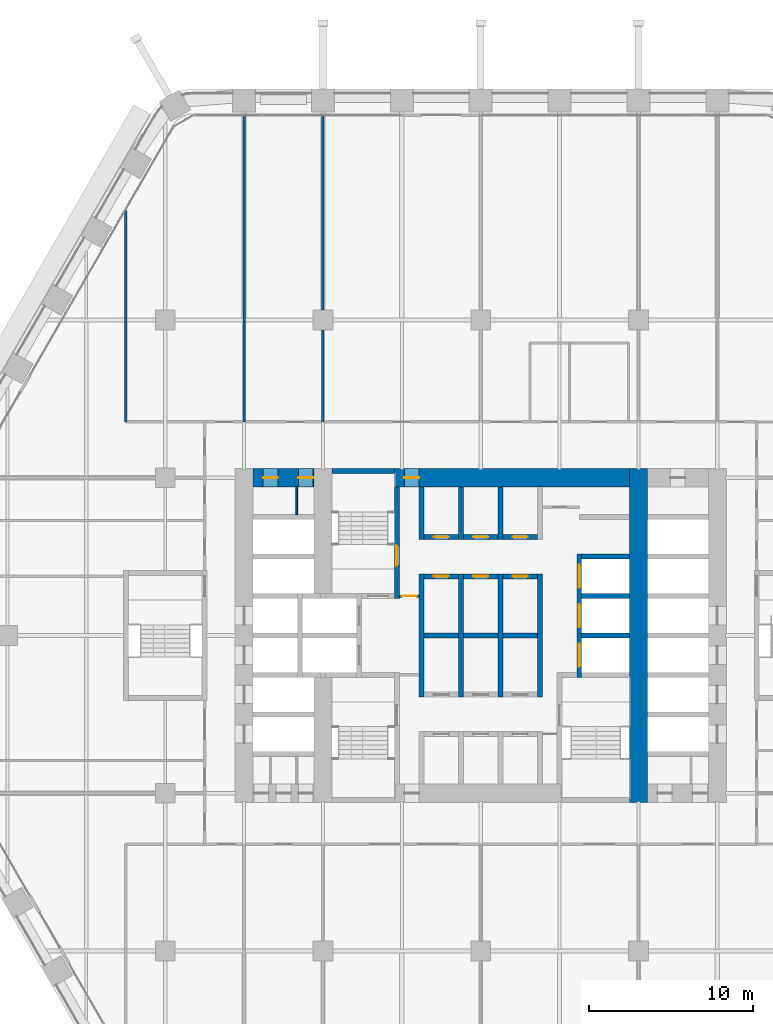
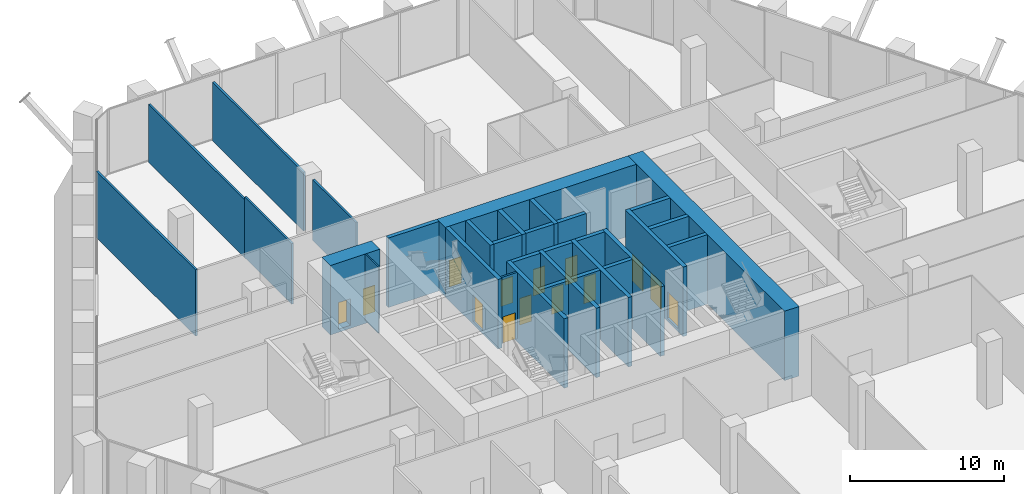
# One storey, part 20 of 29: 32 walls, 14 doors, 14 openings.
"""IFC4 building model written with IfcOpenShell, lengths in metres."""

from ifc_helpers import new_model, si_unit, direction, frame, frame_2d, origin, place, context, subcontext, project, spatial, rectangle, extrude, material, layer, layer_set, type_object, element, fill, save


model = new_model("IFC4")

# Units and contexts
model_context = context("Model", 3, precision=1e-05, world=origin(), true_north=direction((0.0, 1.0)))
body_context = subcontext(model_context, "Body", "Model", "MODEL_VIEW")
ifc_project = project(units=[si_unit("LENGTHUNIT", "METRE"), si_unit("AREAUNIT", "SQUARE_METRE"), si_unit("VOLUMEUNIT", "CUBIC_METRE"), si_unit("PLANEANGLEUNIT", "RADIAN"), si_unit("MASSUNIT", "GRAM", prefix="KILO")], contexts=[model_context])

# Site, building, storey
site_placement = place(None, origin())
site = spatial("IfcSite", under=ifc_project, at=site_placement, CompositionType="ELEMENT")
building_placement = place(site_placement, origin())
building = spatial("IfcBuilding", under=site, at=building_placement, Name="Kolab Exchange Tower", CompositionType="ELEMENT")
storey_placement = place(building_placement, frame((0.0, 0.0, 33.39990234375)))
storey = spatial("IfcBuildingStorey", under=building, at=storey_placement, Name="L06", CompositionType="ELEMENT", Elevation=33.39990234375)

# Wall, openings, doors
ifc_material_1 = material(Name="Concrete C80/95", Category="concrete")
ifc_layer_1 = layer(ifc_material_1, 1.10009765625)
ifc_layer_set_1 = layer_set([ifc_layer_1], Name="Concrete C80/95")
wall_type_1 = type_object("IfcWallType", Name="CORE WALL 1100 C80/95", PredefinedType="SHEAR", material=ifc_layer_set_1)
wall_1_placement = place(storey_placement, frame((-13.85009765625, 9.60009765625, -0.25), z_axis=(0.0, 0.0, 1.0), x_axis=(1.0, 0.0, 0.0)))
wall_1 = element("IfcWall", 1, at=wall_1_placement, inside=storey, type_object=wall_type_1, Name="wall/L06/core/051", PredefinedType="SHEAR", context=body_context, shape_type="SweptSolid", body=[
    extrude(rectangle(XDim=3.7001953125, YDim=1.10009765625, at=frame_2d((1.85009765625, 0.0))), origin(), (0.0, 0.0, 1.0), 5.5),
])
opening_1_placement = place(wall_1_placement, frame((0.60009765625, 0.0, 0.25)))
opening_1 = element("IfcOpeningElement", 2, at=opening_1_placement, cuts=wall_1, Name="Opening D6-108", PredefinedType="OPENING", context=body_context, shape_type="SweptSolid", body=[
    extrude(rectangle(XDim=0.89990234375, YDim=2.10009765625, at=frame_2d((0.449951171875, 1.050048828125))), frame((0.0, 0.56005859375, 0.0), z_axis=(0.0, -1.0, 0.0), x_axis=(1.0, 0.0, 0.0)), (0.0, 0.0, 1.0), 1.1201171875),
])
opening_2_placement = place(wall_1_placement, frame((2.75, 0.0, 0.25)))
opening_2 = element("IfcOpeningElement", 3, at=opening_2_placement, cuts=wall_1, Name="Opening D6-109", PredefinedType="OPENING", context=body_context, shape_type="SweptSolid", body=[
    extrude(rectangle(XDim=0.89990234375, YDim=2.10009765625, at=frame_2d((0.449951171875, 1.050048828125))), frame((0.0, 0.56005859375, 0.0), z_axis=(0.0, -1.0, 0.0), x_axis=(1.0, 0.0, 0.0)), (0.0, 0.0, 1.0), 1.1201171875),
])
ifc_material_2 = material(Name="Steel S235", Category="steel")
door_type_1 = type_object("IfcDoorType", Name="CORE DOOR 900 EI 120", OperationType="SINGLE_SWING_LEFT", PredefinedType="DOOR", material=ifc_material_2)
door_1_placement = place(opening_1_placement, frame((0.89990234375, 0.0, 0.0), z_axis=(0.0, 0.0, 1.0), x_axis=(-1.0, 0.0, 0.0)))
door_1 = element("IfcDoor", 4, at=door_1_placement, inside=storey, type_object=door_type_1, Name="Service room door", OperationType="SINGLE_SWING_RIGHT", OverallHeight=2.10009765625, OverallWidth=0.89990234375, PredefinedType="DOOR", context=body_context, shape_type="SweptSolid", body=[
    extrude(rectangle(XDim=0.89990234375, YDim=2.10009765625, at=frame_2d((0.449951171875, 1.050048828125))), frame((0.0, 0.02490234375, 0.0), z_axis=(0.0, -1.0, 0.0), x_axis=(1.0, 0.0, 0.0)), (0.0, 0.0, 1.0), 0.050048828125),
])
fill(opening_1, door_1)
door_2_placement = place(opening_2_placement, frame((0.89990234375, 0.0, 0.0), z_axis=(0.0, 0.0, 1.0), x_axis=(-1.0, 0.0, 0.0)))
door_2 = element("IfcDoor", 5, at=door_2_placement, inside=storey, type_object=door_type_1, Name="Service room door", OperationType="SINGLE_SWING_LEFT", OverallHeight=2.10009765625, OverallWidth=0.89990234375, PredefinedType="DOOR", context=body_context, shape_type="SweptSolid", body=[
    extrude(rectangle(XDim=0.89990234375, YDim=2.10009765625, at=frame_2d((0.449951171875, 1.050048828125))), frame((0.0, 0.02490234375, 0.0), z_axis=(0.0, -1.0, 0.0), x_axis=(1.0, 0.0, 0.0)), (0.0, 0.0, 1.0), 0.050048828125),
])
fill(opening_2, door_2)

# Wall, opening, door
wall_2_placement = place(storey_placement, frame((-5.25, 9.60009765625, -0.25), z_axis=(0.0, 0.0, 1.0), x_axis=(1.0, 0.0, 0.0)))
wall_2 = element("IfcWall", 6, at=wall_2_placement, inside=storey, type_object=wall_type_1, Name="wall/L06/core/052", PredefinedType="SHEAR", context=body_context, shape_type="SweptSolid", body=[
    extrude(rectangle(XDim=14.300048828125, YDim=1.10009765625, at=frame_2d((7.14990234375, 0.0))), origin(), (0.0, 0.0, 1.0), 5.5),
])
opening_3_placement = place(wall_2_placement, frame((0.60009765625, 0.0, 0.25)))
opening_3 = element("IfcOpeningElement", 7, at=opening_3_placement, cuts=wall_2, Name="Opening D6-107", PredefinedType="OPENING", context=body_context, shape_type="SweptSolid", body=[
    extrude(rectangle(XDim=0.89990234375, YDim=2.10009765625, at=frame_2d((0.449951171875, 1.050048828125))), frame((0.0, 0.56005859375, 0.0), z_axis=(0.0, -1.0, 0.0), x_axis=(1.0, 0.0, 0.0)), (0.0, 0.0, 1.0), 1.1201171875),
])
door_3_placement = place(opening_3_placement, frame((0.89990234375, 0.0, 0.0), z_axis=(0.0, 0.0, 1.0), x_axis=(-1.0, 0.0, 0.0)))
door_3 = element("IfcDoor", 8, at=door_3_placement, inside=storey, type_object=door_type_1, Name="Core lobby door", OperationType="SINGLE_SWING_RIGHT", OverallHeight=2.10009765625, OverallWidth=0.89990234375, PredefinedType="DOOR", context=body_context, shape_type="SweptSolid", body=[
    extrude(rectangle(XDim=0.89990234375, YDim=2.10009765625, at=frame_2d((0.449951171875, 1.050048828125))), frame((0.0, 0.02490234375, 0.0), z_axis=(0.0, -1.0, 0.0), x_axis=(1.0, 0.0, 0.0)), (0.0, 0.0, 1.0), 0.050048828125),
])
fill(opening_3, door_3)

# Walls
wall_3_placement = place(storey_placement, frame((9.60009765625, -10.14990234375, -0.25), z_axis=(0.0, 0.0, 1.0), x_axis=(0.0, 1.0, 0.0)))
element("IfcWall", 9, at=wall_3_placement, inside=storey, type_object=wall_type_1, Name="wall/L06/core/080", PredefinedType="SHEAR", context=body_context, shape_type="SweptSolid", body=[
    extrude(rectangle(XDim=20.2998046875, YDim=1.10009765625, at=frame_2d((10.14990234375, 0.0))), origin(), (0.0, 0.0, 1.0), 5.5),
])
ifc_material_3 = material(Name="Concrete C50/60", Category="concrete")
ifc_layer_2 = layer(ifc_material_3, 0.300048828125)
ifc_layer_set_2 = layer_set([ifc_layer_2], Name="Concrete C50/60")
wall_type_2 = type_object("IfcWallType", Name="LIFT SHAFT WALL 300 C50/60", PredefinedType="STANDARD", material=ifc_layer_set_2)
wall_4_placement = place(storey_placement, frame((-3.449951171875, 0.0, -0.25), z_axis=(0.0, 0.0, 1.0), x_axis=(1.0, 0.0, 0.0)))
element("IfcWall", 10, at=wall_4_placement, inside=storey, type_object=wall_type_2, Name="wall/L06/core/026", PredefinedType="STANDARD", context=body_context, shape_type="SweptSolid", body=[
    extrude(rectangle(XDim=2.099853515625, YDim=0.300048828125, at=frame_2d((1.0498046875, 0.0))), origin(), (0.0, 0.0, 1.0), 5.5),
])
wall_5_placement = place(storey_placement, frame((-1.050048828125, 0.0, -0.25), z_axis=(0.0, 0.0, 1.0), x_axis=(1.0, 0.0, 0.0)))
element("IfcWall", 11, at=wall_5_placement, inside=storey, type_object=wall_type_2, Name="wall/L06/core/027", PredefinedType="STANDARD", context=body_context, shape_type="SweptSolid", body=[
    extrude(rectangle(XDim=2.10009765625, YDim=0.300048828125, at=frame_2d((1.050048828125, 0.0))), origin(), (0.0, 0.0, 1.0), 5.5),
])
wall_6_placement = place(storey_placement, frame((1.35009765625, 0.0, -0.25), z_axis=(0.0, 0.0, 1.0), x_axis=(1.0, 0.0, 0.0)))
element("IfcWall", 12, at=wall_6_placement, inside=storey, type_object=wall_type_2, Name="wall/L06/core/028", PredefinedType="STANDARD", context=body_context, shape_type="SweptSolid", body=[
    extrude(rectangle(XDim=2.099853515625, YDim=0.300048828125, at=frame_2d((1.0498046875, 0.0))), origin(), (0.0, 0.0, 1.0), 5.5),
])
for number, where, z_axis, x_axis, name in (
    (13, (6.14990234375, 0.0, -0.25), (0.0, 0.0, 1.0), (1.0, 0.0, 0.0), "wall/L06/core/029"),
    (14, (6.14990234375, 2.39990234375, -0.25), (0.0, 0.0, 1.0), (1.0, 0.0, 0.0), "wall/L06/core/035"),
):
    element("IfcWall", number, at=place(storey_placement, frame(where, z_axis=z_axis, x_axis=x_axis)), inside=storey, type_object=wall_type_2, Name=name, PredefinedType="STANDARD", context=body_context, shape_type="SweptSolid", body=[
        extrude(rectangle(XDim=2.900146484375, YDim=0.300048828125, at=frame_2d((1.4501953125, 0.0))), origin(), (0.0, 0.0, 1.0), 5.5),
    ])

# Wall, opening, door
wall_7_placement = place(storey_placement, frame((-3.449951171875, 3.60009765625, -0.25), z_axis=(0.0, 0.0, 1.0), x_axis=(1.0, 0.0, 0.0)))
wall_7 = element("IfcWall", 15, at=wall_7_placement, inside=storey, type_object=wall_type_2, Name="wall/L06/core/037", PredefinedType="STANDARD", context=body_context, shape_type="SweptSolid", body=[
    extrude(rectangle(XDim=2.099853515625, YDim=0.300048828125, at=frame_2d((1.0498046875, 0.0))), origin(), (0.0, 0.0, 1.0), 5.5),
])
opening_4_placement = place(wall_7_placement, frame((0.60009765625, 0.0, 0.25)))
opening_4 = element("IfcOpeningElement", 16, at=opening_4_placement, cuts=wall_7, Name="Opening D6-089", PredefinedType="OPENING", context=body_context, shape_type="SweptSolid", body=[
    extrude(rectangle(XDim=0.89990234375, YDim=2.10009765625, at=frame_2d((0.449951171875, 1.050048828125))), frame((0.0, 0.16015625, 0.0), z_axis=(0.0, -1.0, 0.0), x_axis=(1.0, 0.0, 0.0)), (0.0, 0.0, 1.0), 0.320068359375),
])
door_4_placement = place(opening_4_placement, frame((0.89990234375, 0.0, 0.0), z_axis=(0.0, 0.0, 1.0), x_axis=(-1.0, 0.0, 0.0)))
door_4 = element("IfcDoor", 17, at=door_4_placement, inside=storey, type_object=door_type_1, Name="Service room door", OperationType="SINGLE_SWING_LEFT", OverallHeight=2.10009765625, OverallWidth=0.89990234375, PredefinedType="DOOR", context=body_context, shape_type="SweptSolid", body=[
    extrude(rectangle(XDim=0.89990234375, YDim=2.10009765625, at=frame_2d((0.449951171875, 1.050048828125))), frame((0.0, 0.02490234375, 0.0), z_axis=(0.0, -1.0, 0.0), x_axis=(1.0, 0.0, 0.0)), (0.0, 0.0, 1.0), 0.050048828125),
])
fill(opening_4, door_4)

wall_8_placement = place(storey_placement, frame((-1.050048828125, 3.60009765625, -0.25), z_axis=(0.0, 0.0, 1.0), x_axis=(1.0, 0.0, 0.0)))
wall_8 = element("IfcWall", 18, at=wall_8_placement, inside=storey, type_object=wall_type_2, Name="wall/L06/core/038", PredefinedType="STANDARD", context=body_context, shape_type="SweptSolid", body=[
    extrude(rectangle(XDim=2.10009765625, YDim=0.300048828125, at=frame_2d((1.050048828125, 0.0))), origin(), (0.0, 0.0, 1.0), 5.5),
])
opening_5_placement = place(wall_8_placement, frame((0.60009765625, 0.0, 0.25)))
opening_5 = element("IfcOpeningElement", 19, at=opening_5_placement, cuts=wall_8, Name="Opening D6-088", PredefinedType="OPENING", context=body_context, shape_type="SweptSolid", body=[
    extrude(rectangle(XDim=0.89990234375, YDim=2.10009765625, at=frame_2d((0.449951171875, 1.050048828125))), frame((0.0, 0.16015625, 0.0), z_axis=(0.0, -1.0, 0.0), x_axis=(1.0, 0.0, 0.0)), (0.0, 0.0, 1.0), 0.320068359375),
])
door_5_placement = place(opening_5_placement, frame((0.89990234375, 0.0, 0.0), z_axis=(0.0, 0.0, 1.0), x_axis=(-1.0, 0.0, 0.0)))
door_5 = element("IfcDoor", 20, at=door_5_placement, inside=storey, type_object=door_type_1, Name="Service room door", OperationType="SINGLE_SWING_LEFT", OverallHeight=2.10009765625, OverallWidth=0.89990234375, PredefinedType="DOOR", context=body_context, shape_type="SweptSolid", body=[
    extrude(rectangle(XDim=0.89990234375, YDim=2.10009765625, at=frame_2d((0.449951171875, 1.050048828125))), frame((0.0, 0.02490234375, 0.0), z_axis=(0.0, -1.0, 0.0), x_axis=(1.0, 0.0, 0.0)), (0.0, 0.0, 1.0), 0.050048828125),
])
fill(opening_5, door_5)

wall_9_placement = place(storey_placement, frame((1.35009765625, 3.60009765625, -0.25), z_axis=(0.0, 0.0, 1.0), x_axis=(1.0, 0.0, 0.0)))
wall_9 = element("IfcWall", 21, at=wall_9_placement, inside=storey, type_object=wall_type_2, Name="wall/L06/core/039", PredefinedType="STANDARD", context=body_context, shape_type="SweptSolid", body=[
    extrude(rectangle(XDim=2.099853515625, YDim=0.300048828125, at=frame_2d((1.0498046875, 0.0))), origin(), (0.0, 0.0, 1.0), 5.5),
])
opening_6_placement = place(wall_9_placement, frame((0.60009765625, 0.0, 0.25)))
opening_6 = element("IfcOpeningElement", 22, at=opening_6_placement, cuts=wall_9, Name="Opening D6-087", PredefinedType="OPENING", context=body_context, shape_type="SweptSolid", body=[
    extrude(rectangle(XDim=0.89990234375, YDim=2.10009765625, at=frame_2d((0.449951171875, 1.050048828125))), frame((0.0, 0.16015625, 0.0), z_axis=(0.0, -1.0, 0.0), x_axis=(1.0, 0.0, 0.0)), (0.0, 0.0, 1.0), 0.320068359375),
])
door_6_placement = place(opening_6_placement, frame((0.89990234375, 0.0, 0.0), z_axis=(0.0, 0.0, 1.0), x_axis=(-1.0, 0.0, 0.0)))
door_6 = element("IfcDoor", 23, at=door_6_placement, inside=storey, type_object=door_type_1, Name="Service room door", OperationType="SINGLE_SWING_RIGHT", OverallHeight=2.10009765625, OverallWidth=0.89990234375, PredefinedType="DOOR", context=body_context, shape_type="SweptSolid", body=[
    extrude(rectangle(XDim=0.89990234375, YDim=2.10009765625, at=frame_2d((0.449951171875, 1.050048828125))), frame((0.0, 0.02490234375, 0.0), z_axis=(0.0, -1.0, 0.0), x_axis=(1.0, 0.0, 0.0)), (0.0, 0.0, 1.0), 0.050048828125),
])
fill(opening_6, door_6)

# Wall
wall_10_placement = place(storey_placement, frame((6.14990234375, 4.800048828125, -0.25), z_axis=(0.0, 0.0, 1.0), x_axis=(1.0, 0.0, 0.0)))
element("IfcWall", 24, at=wall_10_placement, inside=storey, type_object=wall_type_2, Name="wall/L06/core/043", PredefinedType="STANDARD", context=body_context, shape_type="SweptSolid", body=[
    extrude(rectangle(XDim=2.900146484375, YDim=0.300048828125, at=frame_2d((1.4501953125, 0.0))), origin(), (0.0, 0.0, 1.0), 5.5),
])

# Wall, opening, door
wall_11_placement = place(storey_placement, frame((-3.449951171875, 6.0, -0.25), z_axis=(0.0, 0.0, 1.0), x_axis=(1.0, 0.0, 0.0)))
wall_11 = element("IfcWall", 25, at=wall_11_placement, inside=storey, type_object=wall_type_2, Name="wall/L06/core/045", PredefinedType="STANDARD", context=body_context, shape_type="SweptSolid", body=[
    extrude(rectangle(XDim=2.099853515625, YDim=0.300048828125, at=frame_2d((1.0498046875, 0.0))), origin(), (0.0, 0.0, 1.0), 5.5),
])
opening_7_placement = place(wall_11_placement, frame((0.60009765625, 0.0, 0.25)))
opening_7 = element("IfcOpeningElement", 26, at=opening_7_placement, cuts=wall_11, Name="Opening D6-086", PredefinedType="OPENING", context=body_context, shape_type="SweptSolid", body=[
    extrude(rectangle(XDim=0.89990234375, YDim=2.10009765625, at=frame_2d((0.449951171875, 1.050048828125))), frame((0.0, 0.16015625, 0.0), z_axis=(0.0, -1.0, 0.0), x_axis=(1.0, 0.0, 0.0)), (0.0, 0.0, 1.0), 0.320068359375),
])
door_7_placement = place(opening_7_placement, origin())
door_7 = element("IfcDoor", 27, at=door_7_placement, inside=storey, type_object=door_type_1, Name="Service room door", OperationType="SINGLE_SWING_LEFT", OverallHeight=2.10009765625, OverallWidth=0.89990234375, PredefinedType="DOOR", context=body_context, shape_type="SweptSolid", body=[
    extrude(rectangle(XDim=0.89990234375, YDim=2.10009765625, at=frame_2d((0.449951171875, 1.050048828125))), frame((0.0, 0.02490234375, 0.0), z_axis=(0.0, -1.0, 0.0), x_axis=(1.0, 0.0, 0.0)), (0.0, 0.0, 1.0), 0.050048828125),
])
fill(opening_7, door_7)

wall_12_placement = place(storey_placement, frame((-1.050048828125, 6.0, -0.25), z_axis=(0.0, 0.0, 1.0), x_axis=(1.0, 0.0, 0.0)))
wall_12 = element("IfcWall", 28, at=wall_12_placement, inside=storey, type_object=wall_type_2, Name="wall/L06/core/046", PredefinedType="STANDARD", context=body_context, shape_type="SweptSolid", body=[
    extrude(rectangle(XDim=2.10009765625, YDim=0.300048828125, at=frame_2d((1.050048828125, 0.0))), origin(), (0.0, 0.0, 1.0), 5.5),
])
opening_8_placement = place(wall_12_placement, frame((0.60009765625, 0.0, 0.25)))
opening_8 = element("IfcOpeningElement", 29, at=opening_8_placement, cuts=wall_12, Name="Opening D6-105", PredefinedType="OPENING", context=body_context, shape_type="SweptSolid", body=[
    extrude(rectangle(XDim=0.89990234375, YDim=2.10009765625, at=frame_2d((0.449951171875, 1.050048828125))), frame((0.0, 0.16015625, 0.0), z_axis=(0.0, -1.0, 0.0), x_axis=(1.0, 0.0, 0.0)), (0.0, 0.0, 1.0), 0.320068359375),
])
door_8_placement = place(opening_8_placement, origin())
door_8 = element("IfcDoor", 30, at=door_8_placement, inside=storey, type_object=door_type_1, Name="Service room door", OperationType="SINGLE_SWING_LEFT", OverallHeight=2.10009765625, OverallWidth=0.89990234375, PredefinedType="DOOR", context=body_context, shape_type="SweptSolid", body=[
    extrude(rectangle(XDim=0.89990234375, YDim=2.10009765625, at=frame_2d((0.449951171875, 1.050048828125))), frame((0.0, 0.02490234375, 0.0), z_axis=(0.0, -1.0, 0.0), x_axis=(1.0, 0.0, 0.0)), (0.0, 0.0, 1.0), 0.050048828125),
])
fill(opening_8, door_8)

wall_13_placement = place(storey_placement, frame((1.35009765625, 6.0, -0.25), z_axis=(0.0, 0.0, 1.0), x_axis=(1.0, 0.0, 0.0)))
wall_13 = element("IfcWall", 31, at=wall_13_placement, inside=storey, type_object=wall_type_2, Name="wall/L06/core/047", PredefinedType="STANDARD", context=body_context, shape_type="SweptSolid", body=[
    extrude(rectangle(XDim=2.099853515625, YDim=0.300048828125, at=frame_2d((1.0498046875, 0.0))), origin(), (0.0, 0.0, 1.0), 5.5),
])
opening_9_placement = place(wall_13_placement, frame((0.60009765625, 0.0, 0.25)))
opening_9 = element("IfcOpeningElement", 32, at=opening_9_placement, cuts=wall_13, Name="Opening D6-084", PredefinedType="OPENING", context=body_context, shape_type="SweptSolid", body=[
    extrude(rectangle(XDim=0.89990234375, YDim=2.10009765625, at=frame_2d((0.449951171875, 1.050048828125))), frame((0.0, 0.16015625, 0.0), z_axis=(0.0, -1.0, 0.0), x_axis=(1.0, 0.0, 0.0)), (0.0, 0.0, 1.0), 0.320068359375),
])
door_9_placement = place(opening_9_placement, origin())
door_9 = element("IfcDoor", 33, at=door_9_placement, inside=storey, type_object=door_type_1, Name="Service room door", OperationType="SINGLE_SWING_RIGHT", OverallHeight=2.10009765625, OverallWidth=0.89990234375, PredefinedType="DOOR", context=body_context, shape_type="SweptSolid", body=[
    extrude(rectangle(XDim=0.89990234375, YDim=2.10009765625, at=frame_2d((0.449951171875, 1.050048828125))), frame((0.0, 0.02490234375, 0.0), z_axis=(0.0, -1.0, 0.0), x_axis=(1.0, 0.0, 0.0)), (0.0, 0.0, 1.0), 0.050048828125),
])
fill(opening_9, door_9)

# Walls
wall_14_placement = place(storey_placement, frame((-3.60009765625, -3.75, -0.25), z_axis=(0.0, 0.0, 1.0), x_axis=(0.0, 1.0, 0.0)))
element("IfcWall", 34, at=wall_14_placement, inside=storey, type_object=wall_type_2, Name="wall/L06/core/067", PredefinedType="STANDARD", context=body_context, shape_type="SweptSolid", body=[
    extrude(rectangle(XDim=7.5, YDim=0.300048828125, at=frame_2d((3.75, 0.0))), origin(), (0.0, 0.0, 1.0), 5.5),
])
wall_15_placement = place(storey_placement, frame((-3.60009765625, 5.85009765625, -0.25), z_axis=(0.0, 0.0, 1.0), x_axis=(0.0, 1.0, 0.0)))
element("IfcWall", 35, at=wall_15_placement, inside=storey, type_object=wall_type_2, Name="wall/L06/core/068", PredefinedType="STANDARD", context=body_context, shape_type="SweptSolid", body=[
    extrude(rectangle(XDim=3.199951171875, YDim=0.300048828125, at=frame_2d((1.60009765625, 0.0))), origin(), (0.0, 0.0, 1.0), 5.5),
])
wall_16_placement = place(storey_placement, frame((-1.199951171875, -3.75, -0.25), z_axis=(0.0, 0.0, 1.0), x_axis=(0.0, 1.0, 0.0)))
element("IfcWall", 36, at=wall_16_placement, inside=storey, type_object=wall_type_2, Name="wall/L06/core/070", PredefinedType="STANDARD", context=body_context, shape_type="SweptSolid", body=[
    extrude(rectangle(XDim=7.5, YDim=0.300048828125, at=frame_2d((3.75, 0.0))), origin(), (0.0, 0.0, 1.0), 5.5),
])
wall_17_placement = place(storey_placement, frame((-1.199951171875, 5.85009765625, -0.25), z_axis=(0.0, 0.0, 1.0), x_axis=(0.0, 1.0, 0.0)))
element("IfcWall", 37, at=wall_17_placement, inside=storey, type_object=wall_type_2, Name="wall/L06/core/071", PredefinedType="STANDARD", context=body_context, shape_type="SweptSolid", body=[
    extrude(rectangle(XDim=3.199951171875, YDim=0.300048828125, at=frame_2d((1.60009765625, 0.0))), origin(), (0.0, 0.0, 1.0), 5.5),
])
wall_18_placement = place(storey_placement, frame((1.199951171875, -3.75, -0.25), z_axis=(0.0, 0.0, 1.0), x_axis=(0.0, 1.0, 0.0)))
element("IfcWall", 38, at=wall_18_placement, inside=storey, type_object=wall_type_2, Name="wall/L06/core/073", PredefinedType="STANDARD", context=body_context, shape_type="SweptSolid", body=[
    extrude(rectangle(XDim=7.5, YDim=0.300048828125, at=frame_2d((3.75, 0.0))), origin(), (0.0, 0.0, 1.0), 5.5),
])
wall_19_placement = place(storey_placement, frame((1.199951171875, 5.85009765625, -0.25), z_axis=(0.0, 0.0, 1.0), x_axis=(0.0, 1.0, 0.0)))
element("IfcWall", 39, at=wall_19_placement, inside=storey, type_object=wall_type_2, Name="wall/L06/core/074", PredefinedType="STANDARD", context=body_context, shape_type="SweptSolid", body=[
    extrude(rectangle(XDim=3.199951171875, YDim=0.300048828125, at=frame_2d((1.60009765625, 0.0))), origin(), (0.0, 0.0, 1.0), 5.5),
])
wall_20_placement = place(storey_placement, frame((3.60009765625, -3.75, -0.25), z_axis=(0.0, 0.0, 1.0), x_axis=(0.0, 1.0, 0.0)))
element("IfcWall", 40, at=wall_20_placement, inside=storey, type_object=wall_type_2, Name="wall/L06/core/076", PredefinedType="STANDARD", context=body_context, shape_type="SweptSolid", body=[
    extrude(rectangle(XDim=7.5, YDim=0.300048828125, at=frame_2d((3.75, 0.0))), origin(), (0.0, 0.0, 1.0), 5.5),
])

# Wall, openings, doors
wall_21_placement = place(storey_placement, frame((6.0, -2.550048828125, -0.25), z_axis=(0.0, 0.0, 1.0), x_axis=(0.0, 1.0, 0.0)))
wall_21 = element("IfcWall", 41, at=wall_21_placement, inside=storey, type_object=wall_type_2, Name="wall/L06/core/079", PredefinedType="STANDARD", context=body_context, shape_type="SweptSolid", body=[
    extrude(rectangle(XDim=7.5, YDim=0.300048828125, at=frame_2d((3.75, 0.0))), origin(), (0.0, 0.0, 1.0), 5.5),
])
opening_10_placement = place(wall_21_placement, frame((0.64990234375, 0.0, 0.25)))
opening_10 = element("IfcOpeningElement", 42, at=opening_10_placement, cuts=wall_21, Name="Opening LD3-013", PredefinedType="OPENING", context=body_context, shape_type="SweptSolid", body=[
    extrude(rectangle(XDim=1.39990234375, YDim=2.10009765625, at=frame_2d((0.699951171875, 1.050048828125))), frame((0.0, 0.16015625, 0.0), z_axis=(0.0, -1.0, 0.0), x_axis=(1.0, 0.0, 0.0)), (0.0, 0.0, 1.0), 0.320068359375),
])
opening_11_placement = place(wall_21_placement, frame((3.050048828125, 0.0, 0.25)))
opening_11 = element("IfcOpeningElement", 43, at=opening_11_placement, cuts=wall_21, Name="Opening LD3-014", PredefinedType="OPENING", context=body_context, shape_type="SweptSolid", body=[
    extrude(rectangle(XDim=1.39990234375, YDim=2.10009765625, at=frame_2d((0.699951171875, 1.050048828125))), frame((0.0, 0.16015625, 0.0), z_axis=(0.0, -1.0, 0.0), x_axis=(1.0, 0.0, 0.0)), (0.0, 0.0, 1.0), 0.320068359375),
])
opening_12_placement = place(wall_21_placement, frame((5.449951171875, 0.0, 0.25)))
opening_12 = element("IfcOpeningElement", 44, at=opening_12_placement, cuts=wall_21, Name="Opening LD3-015", PredefinedType="OPENING", context=body_context, shape_type="SweptSolid", body=[
    extrude(rectangle(XDim=1.39990234375, YDim=2.10009765625, at=frame_2d((0.699951171875, 1.050048828125))), frame((0.0, 0.16015625, 0.0), z_axis=(0.0, -1.0, 0.0), x_axis=(1.0, 0.0, 0.0)), (0.0, 0.0, 1.0), 0.320068359375),
])
ifc_material_4 = material(Name="Stainless steel 316", Category="steel")
door_type_2 = type_object("IfcDoorType", Name="LANDING DOOR 1400 SERVICE", OperationType="DOUBLE_DOOR_SLIDING", PredefinedType="DOOR", material=ifc_material_4)
door_10_placement = place(opening_10_placement, origin())
door_10 = element("IfcDoor", 45, at=door_10_placement, inside=storey, type_object=door_type_2, Name="Landing door SV1", OperationType="DOUBLE_DOOR_SLIDING", OverallHeight=2.10009765625, OverallWidth=1.39990234375, PredefinedType="DOOR", context=body_context, shape_type="SweptSolid", body=[
    extrude(rectangle(XDim=1.39990234375, YDim=2.10009765625, at=frame_2d((0.699951171875, 1.050048828125))), frame((0.0, 0.02490234375, 0.0), z_axis=(0.0, -1.0, 0.0), x_axis=(1.0, 0.0, 0.0)), (0.0, 0.0, 1.0), 0.050048828125),
])
fill(opening_10, door_10)
door_11_placement = place(opening_11_placement, origin())
door_11 = element("IfcDoor", 46, at=door_11_placement, inside=storey, type_object=door_type_2, Name="Landing door SV2", OperationType="DOUBLE_DOOR_SLIDING", OverallHeight=2.10009765625, OverallWidth=1.39990234375, PredefinedType="DOOR", context=body_context, shape_type="SweptSolid", body=[
    extrude(rectangle(XDim=1.39990234375, YDim=2.10009765625, at=frame_2d((0.699951171875, 1.050048828125))), frame((0.0, 0.02490234375, 0.0), z_axis=(0.0, -1.0, 0.0), x_axis=(1.0, 0.0, 0.0)), (0.0, 0.0, 1.0), 0.050048828125),
])
fill(opening_11, door_11)
door_12_placement = place(opening_12_placement, origin())
door_12 = element("IfcDoor", 47, at=door_12_placement, inside=storey, type_object=door_type_2, Name="Landing door SV3", OperationType="DOUBLE_DOOR_SLIDING", OverallHeight=2.10009765625, OverallWidth=1.39990234375, PredefinedType="DOOR", context=body_context, shape_type="SweptSolid", body=[
    extrude(rectangle(XDim=1.39990234375, YDim=2.10009765625, at=frame_2d((0.699951171875, 1.050048828125))), frame((0.0, 0.02490234375, 0.0), z_axis=(0.0, -1.0, 0.0), x_axis=(1.0, 0.0, 0.0)), (0.0, 0.0, 1.0), 0.050048828125),
])
fill(opening_12, door_12)

# Walls
ifc_material_5 = material(Name="Gypsum board", Category="gypsum")
ifc_layer_3 = layer(ifc_material_5, 0.10009765625)
ifc_layer_set_3 = layer_set([ifc_layer_3], Name="Gypsum board")
wall_type_3 = type_object("IfcWallType", Name="PARTITION 100", PredefinedType="PARTITIONING", material=ifc_layer_set_3)
wall_22_placement = place(storey_placement, frame((-11.199951171875, 7.35009765625, 0.0), z_axis=(0.0, 0.0, 1.0), x_axis=(0.0, 1.0, 0.0)))
element("IfcWall", 48, at=wall_22_placement, inside=storey, type_object=wall_type_3, Name="Partition 022", PredefinedType="PARTITIONING", context=body_context, shape_type="SweptSolid", body=[
    extrude(rectangle(XDim=1.699951171875, YDim=0.10009765625, at=frame_2d((0.85009765625, 0.0))), origin(), (0.0, 0.0, 1.0), 5.25),
])
ifc_layer_4 = layer(ifc_material_5, 0.14990234375)
ifc_layer_set_4 = layer_set([ifc_layer_4], Name="Gypsum board")
wall_type_4 = type_object("IfcWallType", Name="PARTITION 150 FIRE-RATED", PredefinedType="PARTITIONING", material=ifc_layer_set_4)
wall_23_placement = place(storey_placement, frame((-9.60009765625, 13.0, 0.0), z_axis=(0.0, 0.0, 1.0), x_axis=(0.0, 1.0, 0.0)))
element("IfcWall", 49, at=wall_23_placement, inside=storey, type_object=wall_type_4, Name="Partition 019", PredefinedType="PARTITIONING", context=body_context, shape_type="SweptSolid", body=[
    extrude(rectangle(XDim=5.60009765625, YDim=0.14990234375, at=frame_2d((2.800048828125, 0.0))), origin(), (0.0, 0.0, 1.0), 4.793212890625),
])
wall_24_placement = place(storey_placement, frame((-9.60009765625, 19.800048828125, 0.0), z_axis=(0.0, 0.0, 1.0), x_axis=(0.0, 1.0, 0.0)))
element("IfcWall", 50, at=wall_24_placement, inside=storey, type_object=wall_type_4, Name="Partition 020", PredefinedType="PARTITIONING", context=body_context, shape_type="SweptSolid", body=[
    extrude(rectangle(XDim=11.785400390625, YDim=0.14990234375, at=frame_2d((5.892578125, 0.0))), origin(), (0.0, 0.0, 1.0), 4.64208984375),
])
wall_25_placement = place(storey_placement, frame((-14.39990234375, 19.113037109375, 0.0), z_axis=(0.0, 0.0, 1.0), x_axis=(0.0, 1.0, 0.0)))
element("IfcWall", 51, at=wall_25_placement, inside=storey, type_object=wall_type_4, Name="Partition 025", PredefinedType="PARTITIONING", context=body_context, shape_type="SweptSolid", body=[
    extrude(rectangle(XDim=12.472412109375, YDim=0.14990234375, at=frame_2d((6.236328125, 0.0))), origin(), (0.0, 0.0, 1.0), 4.566162109375),
])
wall_26_placement = place(storey_placement, frame((-14.39990234375, 13.0, 0.0), z_axis=(0.0, 0.0, 1.0), x_axis=(0.0, 1.0, 0.0)))
element("IfcWall", 52, at=wall_26_placement, inside=storey, type_object=wall_type_4, Name="Partition 025", PredefinedType="PARTITIONING", context=body_context, shape_type="SweptSolid", body=[
    extrude(rectangle(XDim=6.113037109375, YDim=0.14990234375, at=frame_2d((3.056640625, 0.0))), origin(), (0.0, 0.0, 1.0), 4.793212890625),
])
wall_27_placement = place(storey_placement, frame((-21.60009765625, 13.0, 0.0), z_axis=(0.0, 0.0, 1.0), x_axis=(0.0, 1.0, 0.0)))
element("IfcWall", 53, at=wall_27_placement, inside=storey, type_object=wall_type_4, Name="Partition 029", PredefinedType="PARTITIONING", context=body_context, shape_type="SweptSolid", body=[
    extrude(rectangle(XDim=12.8583984375, YDim=0.14990234375, at=frame_2d((6.42919921875, 0.0))), origin(), (0.0, 0.0, 1.0), 5.25),
])

# Wall, opening, door
wall_28_placement = place(storey_placement, frame((-4.949951171875, 2.39990234375, 0.0), z_axis=(0.0, 0.0, 1.0), x_axis=(1.0, 0.0, 0.0)))
wall_28 = element("IfcWall", 54, at=wall_28_placement, inside=storey, type_object=wall_type_4, Name="Fire partition", PredefinedType="PARTITIONING", context=body_context, shape_type="SweptSolid", body=[
    extrude(rectangle(XDim=1.199951171875, YDim=0.14990234375, at=frame_2d((0.60009765625, 0.0))), origin(), (0.0, 0.0, 1.0), 5.25),
])
opening_13_placement = place(wall_28_placement, frame((0.14990234375, 0.0, 0.0)))
opening_13 = element("IfcOpeningElement", 55, at=opening_13_placement, cuts=wall_28, Name="Opening D6-097", PredefinedType="OPENING", context=body_context, shape_type="SweptSolid", body=[
    extrude(rectangle(XDim=0.89990234375, YDim=2.10009765625, at=frame_2d((0.449951171875, 1.050048828125))), frame((0.0, 0.0849609375, 0.0), z_axis=(0.0, -1.0, 0.0), x_axis=(1.0, 0.0, 0.0)), (0.0, 0.0, 1.0), 0.169921875),
])
door_13_placement = place(opening_13_placement, frame((0.89990234375, 0.0, 0.0), z_axis=(0.0, 0.0, 1.0), x_axis=(-1.0, 0.0, 0.0)))
door_13 = element("IfcDoor", 56, at=door_13_placement, inside=storey, type_object=door_type_1, Name="Firefighting lobby door", OperationType="SINGLE_SWING_RIGHT", OverallHeight=2.10009765625, OverallWidth=0.89990234375, PredefinedType="DOOR", context=body_context, shape_type="SweptSolid", body=[
    extrude(rectangle(XDim=0.89990234375, YDim=2.10009765625, at=frame_2d((0.449951171875, 1.050048828125))), frame((0.0, 0.02490234375, 0.0), z_axis=(0.0, -1.0, 0.0), x_axis=(1.0, 0.0, 0.0)), (0.0, 0.0, 1.0), 0.050048828125),
])
fill(opening_13, door_13)

# Wall
ifc_layer_5 = layer(ifc_material_3, 0.300048828125)
ifc_layer_set_5 = layer_set([ifc_layer_5], Name="Concrete C50/60")
wall_type_5 = type_object("IfcWallType", Name="STAIR ENCLOSURE WALL 300 C50/60", PredefinedType="STANDARD", material=ifc_layer_set_5)
wall_29_placement = place(storey_placement, frame((-9.050048828125, 10.0, -0.25), z_axis=(0.0, 0.0, 1.0), x_axis=(1.0, 0.0, 0.0)))
element("IfcWall", 57, at=wall_29_placement, inside=storey, type_object=wall_type_5, Name="wall/L06/core/054", PredefinedType="STANDARD", context=body_context, shape_type="SweptSolid", body=[
    extrude(rectangle(XDim=3.800048828125, YDim=0.300048828125, at=frame_2d((1.89990234375, 0.0))), origin(), (0.0, 0.0, 1.0), 5.5),
])

# Wall, opening, door
wall_30_placement = place(storey_placement, frame((-5.10009765625, 2.25, -0.25), z_axis=(0.0, 0.0, 1.0), x_axis=(0.0, 1.0, 0.0)))
wall_30 = element("IfcWall", 58, at=wall_30_placement, inside=storey, type_object=wall_type_5, Name="wall/L06/core/065", PredefinedType="STANDARD", context=body_context, shape_type="SweptSolid", body=[
    extrude(rectangle(XDim=6.800048828125, YDim=0.300048828125, at=frame_2d((3.39990234375, 0.0))), origin(), (0.0, 0.0, 1.0), 5.5),
])
opening_14_placement = place(wall_30_placement, frame((2.0, 0.0, 0.25)))
opening_14 = element("IfcOpeningElement", 59, at=opening_14_placement, cuts=wall_30, Name="Opening D4-020", PredefinedType="OPENING", context=body_context, shape_type="SweptSolid", body=[
    extrude(rectangle(XDim=1.199951171875, YDim=2.10009765625, at=frame_2d((0.60009765625, 1.050048828125))), frame((0.0, 0.16015625, 0.0), z_axis=(0.0, -1.0, 0.0), x_axis=(1.0, 0.0, 0.0)), (0.0, 0.0, 1.0), 0.320068359375),
])
door_type_3 = type_object("IfcDoorType", Name="STAIR DOOR 1200 EI 120", OperationType="SINGLE_SWING_LEFT", PredefinedType="DOOR", material=ifc_material_2)
door_14_placement = place(opening_14_placement, origin())
door_14 = element("IfcDoor", 60, at=door_14_placement, inside=storey, type_object=door_type_3, Name="Stair 1 door", OperationType="SINGLE_SWING_LEFT", OverallHeight=2.10009765625, OverallWidth=1.199951171875, PredefinedType="DOOR", context=body_context, shape_type="SweptSolid", body=[
    extrude(rectangle(XDim=1.199951171875, YDim=2.10009765625, at=frame_2d((0.60009765625, 1.050048828125))), frame((0.0, 0.02490234375, 0.0), z_axis=(0.0, -1.0, 0.0), x_axis=(1.0, 0.0, 0.0)), (0.0, 0.0, 1.0), 0.050048828125),
])
fill(opening_14, door_14)

save(model, "model.ifc")
